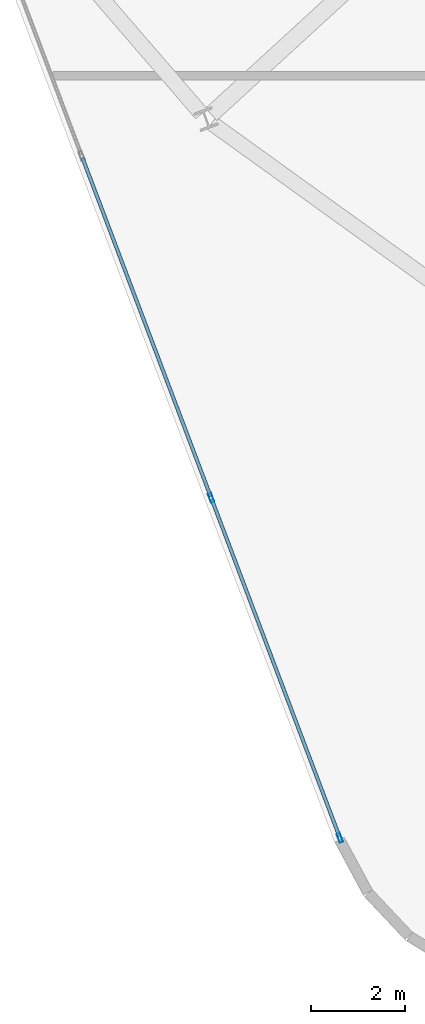
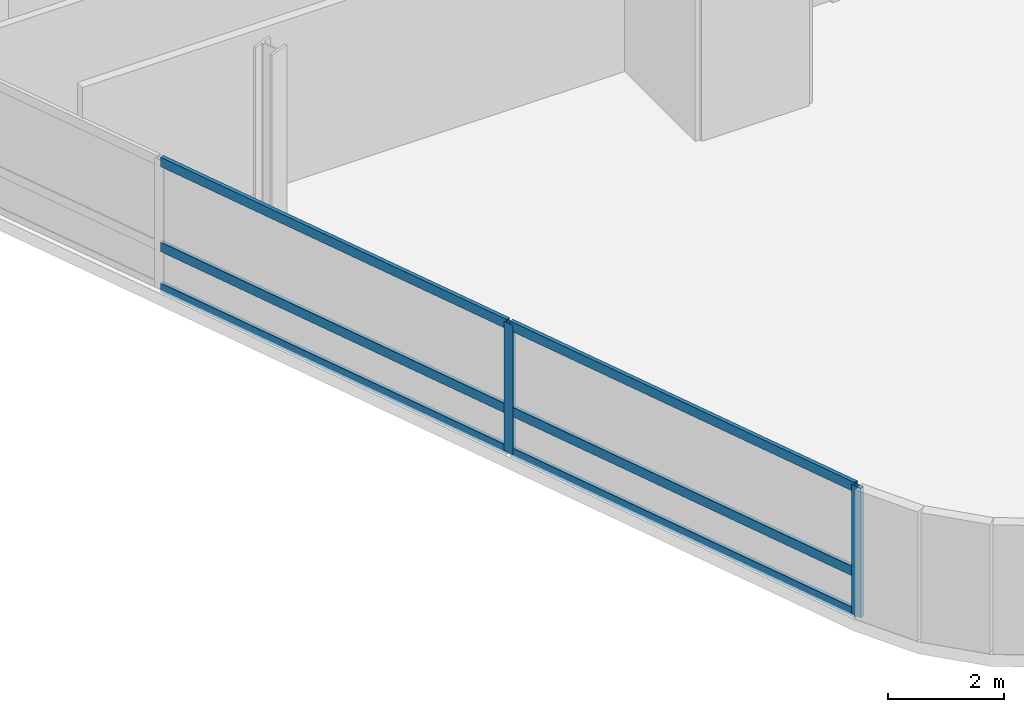
# One storey, part 3 of 19: 8 members, 1 element without a shape of its own.
"""IFC4 building model written with IfcOpenShell, lengths in metres."""

from ifc_helpers import new_model, si_unit, direction, frame, origin, origin_2d, place, context, subcontext, project, spatial, hollow_rectangle, extrude, material, layer, layer_set, material_profile, profile_set, type_object, element, aggregate, save


model = new_model("IFC4")

# Units and contexts
model_context = context("Model", 3, precision=1e-05, world=origin(), true_north=direction((0.0, 1.0)))
body_context = subcontext(model_context, "Body", "Model", "MODEL_VIEW")
ifc_project = project(units=[si_unit("LENGTHUNIT", "METRE"), si_unit("AREAUNIT", "SQUARE_METRE"), si_unit("VOLUMEUNIT", "CUBIC_METRE"), si_unit("PLANEANGLEUNIT", "RADIAN"), si_unit("MASSUNIT", "GRAM", prefix="KILO")], contexts=[model_context])

# Site, building, storey
site_placement = place(None, origin())
site = spatial("IfcSite", under=ifc_project, at=site_placement, CompositionType="ELEMENT")
building_placement = place(site_placement, origin())
building = spatial("IfcBuilding", under=site, at=building_placement, Name="Varnelok Gate Tower", CompositionType="ELEMENT")
storey_placement = place(building_placement, frame((0.0, 0.0, 246.0)))
storey = spatial("IfcBuildingStorey", under=building, at=storey_placement, Name="L63", CompositionType="ELEMENT", Elevation=246.0)

# Curtain wall, members
ifc_material = material(Name="Anodized Aluminum Alloy 6063-T6", Category="aluminium")
ifc_layer = layer(ifc_material, 0.179931640625)
ifc_layer_set = layer_set([ifc_layer], Name="Anodized Aluminum Alloy 6063-T6")
curtain_wall_type = type_object("IfcCurtainWallType", Name="CW4-RESIDENCE-VISION", PredefinedType="USERDEFINED", material=ifc_layer_set)
curtain_wall_placement = place(storey_placement, origin())
curtain_wall = element("IfcCurtainWall", 1, at=curtain_wall_placement, inside=storey, type_object=curtain_wall_type, Name="L63 West End Vision Curtain Wall", ObjectType="UNITISED CURTAIN WALL", PredefinedType="USERDEFINED")
ifc_material_profile_1 = material_profile(ifc_material, hollow_rectangle(XDim=0.074951171875, YDim=0.199951171875, WallThickness=0.00390625, at=origin_2d()), Name="ALU200X75X4")
ifc_profile_set_1 = profile_set([ifc_material_profile_1], Name="Anodized Aluminum Alloy 6063-T6")
member_type_1 = type_object("IfcMemberType", Name="CW-MULL-200", PredefinedType="MULLION", material=ifc_profile_set_1)
member_1_placement = place(storey_placement, frame((13.88525390625, -0.92431640625, 0.0), z_axis=(0.0, 0.0, 1.0), x_axis=(-0.935221557832, -0.354063042079, 0.0)))
member_1 = element("IfcMember", 2, at=member_1_placement, type_object=member_type_1, Name="CW4 mullion 1", PredefinedType="MULLION", context=body_context, shape_type="SweptSolid", body=[
    extrude(hollow_rectangle(XDim=0.074951171875, YDim=0.199951171875, WallThickness=0.00390625, at=origin_2d()), origin(), (0.0, 0.0, 1.0), 2.72998046875),
])
member_2_placement = place(storey_placement, frame((11.13671875, 6.33544921875, 0.0), z_axis=(0.0, 0.0, 1.0), x_axis=(-0.935221557832, -0.354063042079, 0.0)))
member_2 = element("IfcMember", 3, at=member_2_placement, type_object=member_type_1, Name="CW4 mullion 2", PredefinedType="MULLION", context=body_context, shape_type="SweptSolid", body=[
    extrude(hollow_rectangle(XDim=0.074951171875, YDim=0.199951171875, WallThickness=0.00390625, at=origin_2d()), origin(), (0.0, 0.0, 1.0), 2.72998046875),
])
ifc_material_profile_2 = material_profile(ifc_material, hollow_rectangle(XDim=0.074951171875, YDim=0.199951171875, WallThickness=0.00390625, at=origin_2d()), Name="ALU200X75X4")
ifc_profile_set_2 = profile_set([ifc_material_profile_2], Name="Anodized Aluminum Alloy 6063-T6")
member_type_2 = type_object("IfcMemberType", Name="CW-TRAN-200", PredefinedType="USERDEFINED", material=ifc_profile_set_2)
member_3_placement = place(storey_placement, frame((13.871826171875, -0.88916015625, 0.03759765625), z_axis=(-0.354045264669, 0.935228287941, 0.0), x_axis=(-0.935228287941, -0.354045264669, 0.0)))
member_3 = element("IfcMember", 4, at=member_3_placement, type_object=member_type_2, Name="CW4 transom 1.1", ObjectType="TRANSOM", PredefinedType="USERDEFINED", context=body_context, shape_type="SweptSolid", body=[
    extrude(hollow_rectangle(XDim=0.074951171875, YDim=0.199951171875, WallThickness=0.00390625, at=origin_2d()), origin(), (0.0, 0.0, 1.0), 7.687255859375),
])
member_4_placement = place(storey_placement, frame((13.871826171875, -0.88916015625, 0.89990234375), z_axis=(-0.354045264669, 0.935228287941, 0.0), x_axis=(-0.935228287941, -0.354045264669, 0.0)))
member_4 = element("IfcMember", 5, at=member_4_placement, type_object=member_type_2, Name="CW4 transom 1.2", ObjectType="TRANSOM", PredefinedType="USERDEFINED", context=body_context, shape_type="SweptSolid", body=[
    extrude(hollow_rectangle(XDim=0.074951171875, YDim=0.199951171875, WallThickness=0.00390625, at=origin_2d()), origin(), (0.0, 0.0, 1.0), 7.687255859375),
])
member_5_placement = place(storey_placement, frame((13.871826171875, -0.88916015625, 2.6923828125), z_axis=(-0.354045264669, 0.935228287941, 0.0), x_axis=(-0.935228287941, -0.354045264669, 0.0)))
member_5 = element("IfcMember", 6, at=member_5_placement, type_object=member_type_2, Name="CW4 transom 1.3", ObjectType="TRANSOM", PredefinedType="USERDEFINED", context=body_context, shape_type="SweptSolid", body=[
    extrude(hollow_rectangle(XDim=0.074951171875, YDim=0.199951171875, WallThickness=0.00390625, at=origin_2d()), origin(), (0.0, 0.0, 1.0), 7.687255859375),
])
member_6_placement = place(storey_placement, frame((11.12353515625, 6.370361328125, 0.03759765625), z_axis=(-0.354058714128, 0.935223196328, 0.0), x_axis=(-0.935223196328, -0.354058714128, 0.0)))
member_6 = element("IfcMember", 7, at=member_6_placement, type_object=member_type_2, Name="CW4 transom 2.1", ObjectType="TRANSOM", PredefinedType="USERDEFINED", context=body_context, shape_type="SweptSolid", body=[
    extrude(hollow_rectangle(XDim=0.074951171875, YDim=0.199951171875, WallThickness=0.00390625, at=origin_2d()), origin(), (0.0, 0.0, 1.0), 7.72509765625),
])
member_7_placement = place(storey_placement, frame((11.12353515625, 6.370361328125, 0.89990234375), z_axis=(-0.354058714128, 0.935223196328, 0.0), x_axis=(-0.935223196328, -0.354058714128, 0.0)))
member_7 = element("IfcMember", 8, at=member_7_placement, type_object=member_type_2, Name="CW4 transom 2.2", ObjectType="TRANSOM", PredefinedType="USERDEFINED", context=body_context, shape_type="SweptSolid", body=[
    extrude(hollow_rectangle(XDim=0.074951171875, YDim=0.199951171875, WallThickness=0.00390625, at=origin_2d()), origin(), (0.0, 0.0, 1.0), 7.72509765625),
])
member_8_placement = place(storey_placement, frame((11.12353515625, 6.370361328125, 2.6923828125), z_axis=(-0.354058714128, 0.935223196328, 0.0), x_axis=(-0.935223196328, -0.354058714128, 0.0)))
member_8 = element("IfcMember", 9, at=member_8_placement, type_object=member_type_2, Name="CW4 transom 2.3", ObjectType="TRANSOM", PredefinedType="USERDEFINED", context=body_context, shape_type="SweptSolid", body=[
    extrude(hollow_rectangle(XDim=0.074951171875, YDim=0.199951171875, WallThickness=0.00390625, at=origin_2d()), origin(), (0.0, 0.0, 1.0), 7.72509765625),
])
aggregate(curtain_wall, [member_1, member_2, member_3, member_4, member_5, member_6, member_7, member_8])

save(model, "model.ifc")
